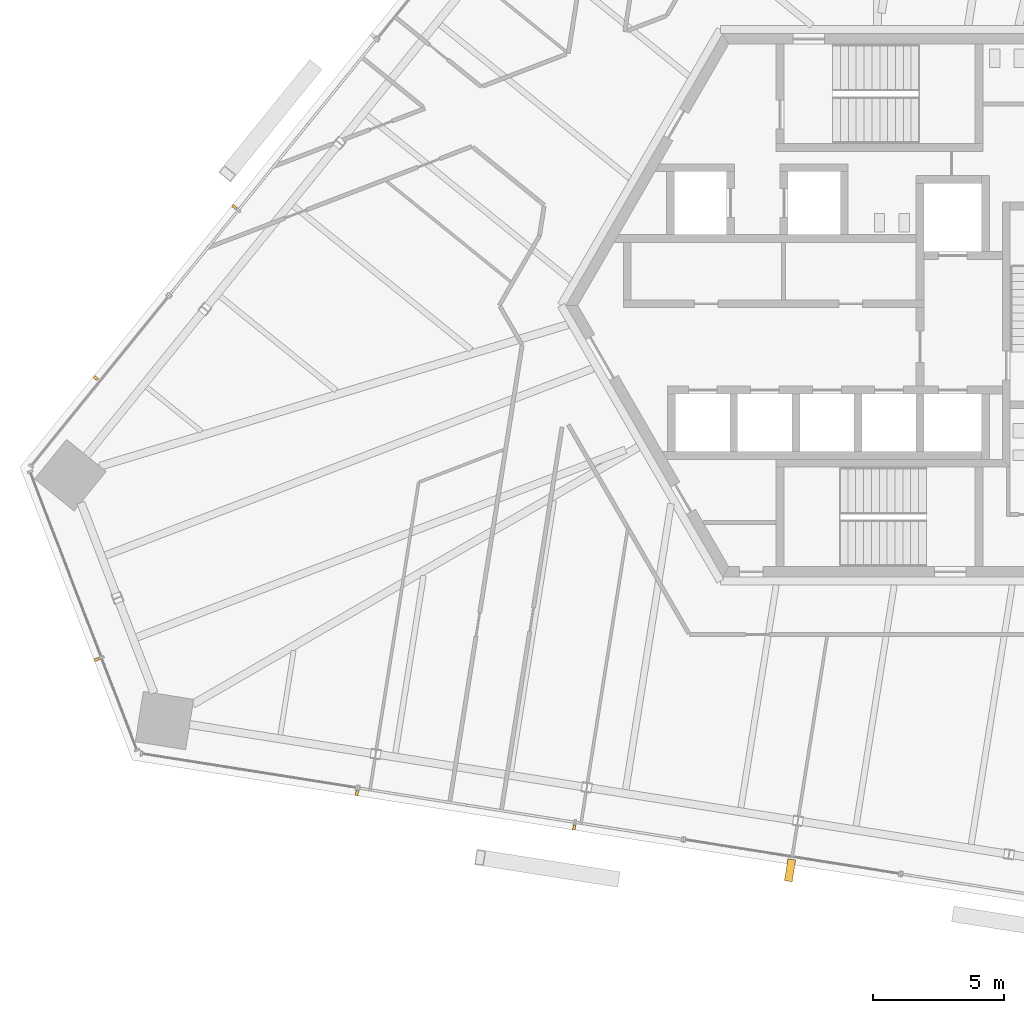
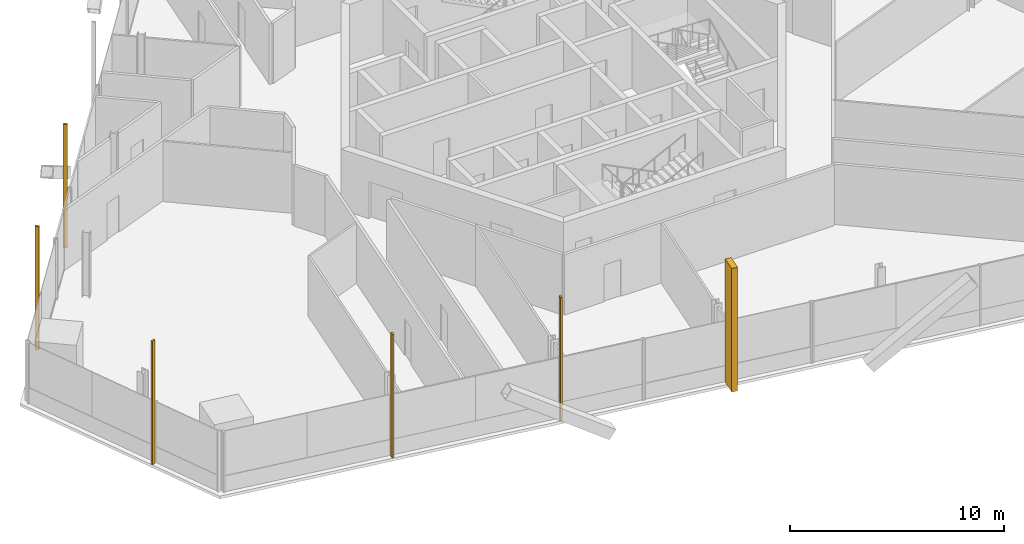
# One storey, part 16 of 21: 6 shading devices.
"""IFC4 building model written with IfcOpenShell, lengths in metres."""

import ifcopenshell
import ifcopenshell.guid

model = None  # the IFC model being written
_history = None  # IfcOwnerHistory: only IFC2X3 demands one
_inside = {}  # id of a spatial element -> (the spatial element, [elements in it])
_under = {}  # id of a project, library or spatial element -> (it, [spatial elements below it])
_declared = {}  # id of a project -> (the project, [libraries it declares])
_typed = {}  # id of a type object -> (the type object, [elements of that type])
_made_of = {}  # id of a material, layer set ... -> (it, [elements and type objects made of it])


def new_model(schema):
    """Start an empty IFC model of exactly this schema.

    Asked for "IFC4X3", IfcOpenShell would pick the latest addendum, in which some entities
    have other attributes; the version numbers below select the first issue.
    IFC2X3 requires an IfcOwnerHistory on every rooted entity: one is made here for all.
    """
    global model, _history
    if schema == "IFC4X3":
        model = ifcopenshell.file(schema_version=(4, 3, 0, 0))
    else:
        model = ifcopenshell.file(schema=schema)
    _inside.clear()
    _under.clear()
    _declared.clear()
    _typed.clear()
    _made_of.clear()
    _history = None
    if model.schema == "IFC2X3":
        org = make("IfcOrganization", Name="unknown")
        user = make(
            "IfcPersonAndOrganization",
            ThePerson=make("IfcPerson", FamilyName="unknown"),
            TheOrganization=org,
        )
        app = make(
            "IfcApplication",
            ApplicationDeveloper=org,
            Version="unknown",
            ApplicationFullName="unknown",
            ApplicationIdentifier="unknown",
        )
        _history = make(
            "IfcOwnerHistory",
            OwningUser=user,
            OwningApplication=app,
            ChangeAction="ADDED",
            CreationDate=0,
        )
    return model


def make(cls, **values):
    """One entity of the class cls with the attributes given. An attribute that is None is left unset."""
    return model.create_entity(
        cls, **{name: value for name, value in values.items() if value is not None}
    )


def rooted(cls, **values):
    """An entity with a GlobalId (a new one), such as an element, a storey or a relation."""
    return make(cls, GlobalId=ifcopenshell.guid.new(), OwnerHistory=_history, **values)


def si_unit(unit_type, name, prefix=None):
    """IfcSIUnit, for example si_unit("LENGTHUNIT", "METRE", prefix="MILLI")."""
    return make("IfcSIUnit", UnitType=unit_type, Prefix=prefix, Name=name)


def assignment(units):
    """IfcUnitAssignment: the units of a project."""
    return None if units is None else make("IfcUnitAssignment", Units=units)


def point(xyz):
    """IfcCartesianPoint."""
    return None if xyz is None else make("IfcCartesianPoint", Coordinates=xyz)


def direction(xyz):
    """IfcDirection."""
    return None if xyz is None else make("IfcDirection", DirectionRatios=xyz)


def frame(location, z_axis=None, x_axis=None):
    """IfcAxis2Placement3D, a coordinate frame: its origin and axes. An axis left out is left unset."""
    return make(
        "IfcAxis2Placement3D",
        Location=point(location),
        Axis=direction(z_axis),
        RefDirection=direction(x_axis),
    )


def frame_2d(location, x_axis=None):
    """IfcAxis2Placement2D, a coordinate frame in the plane: its origin and x axis."""
    return make(
        "IfcAxis2Placement2D", Location=point(location), RefDirection=direction(x_axis)
    )


def origin():
    """The frame at (0, 0, 0) with its axes left unset."""
    return frame((0.0, 0.0, 0.0))


def origin_2d():
    """The frame at (0, 0) in the plane with its x axis left unset."""
    return frame_2d((0.0, 0.0))


def place(relative_to, where):
    """IfcLocalPlacement: puts the frame where relative to a parent placement (None: the world)."""
    return make(
        "IfcLocalPlacement", PlacementRelTo=relative_to, RelativePlacement=where
    )


def context(
    kind, dimensions, precision=None, world=None, true_north=None, identifier=None
):
    """IfcGeometricRepresentationContext, for example the 3D "Model" context."""
    return make(
        "IfcGeometricRepresentationContext",
        ContextIdentifier=identifier,
        ContextType=kind,
        CoordinateSpaceDimension=dimensions,
        Precision=precision,
        WorldCoordinateSystem=world,
        TrueNorth=true_north,
    )


def subcontext(parent, identifier, kind, view, scale=None):
    """IfcGeometricRepresentationSubContext, for example "Body" below "Model"."""
    return make(
        "IfcGeometricRepresentationSubContext",
        ContextIdentifier=identifier,
        ContextType=kind,
        ParentContext=parent,
        TargetScale=scale,
        TargetView=view,
    )


def project(units=None, contexts=None):
    """IfcProject with its units and contexts."""
    return rooted(
        "IfcProject",
        Name="project",
        RepresentationContexts=contexts,
        UnitsInContext=assignment(units),
    )


def spatial(cls, under=None, at=None, **own):
    """A site, building, storey or space (cls), placed at a placement, below another one or the project."""
    s = rooted(cls, ObjectPlacement=at, **own)
    if under is not None:
        _under.setdefault(under.id(), (under, []))[1].append(s)
    return s


def profile(cls, at=None, kind="AREA", **sizes):
    """A parametric profile (cls). Its sizes go by their IFC names, for example OverallWidth=200.0."""
    return make(cls, ProfileType=kind, Position=at, **sizes)


def rectangle(**sizes):
    """IfcRectangleProfileDef."""
    return profile("IfcRectangleProfileDef", **sizes)


def extrude(swept, where, along, depth):
    """IfcExtrudedAreaSolid: the profile swept, set in the frame where, extruded along a direction by depth."""
    return make(
        "IfcExtrudedAreaSolid",
        SweptArea=swept,
        Position=where,
        ExtrudedDirection=direction(along),
        Depth=depth,
    )


def shape(context_of_items, identifier, shape_type, items):
    """IfcShapeRepresentation: the items that make up one representation, for example the "Body"."""
    return make(
        "IfcShapeRepresentation",
        ContextOfItems=context_of_items,
        RepresentationIdentifier=identifier,
        RepresentationType=shape_type,
        Items=items,
    )


def source(mapping_origin, context_of_items, identifier, shape_type, items):
    """IfcRepresentationMap: a shape defined once, which mapped items show again and again."""
    return make(
        "IfcRepresentationMap",
        MappingOrigin=mapping_origin,
        MappedRepresentation=shape(context_of_items, identifier, shape_type, items),
    )


def transform(
    local_origin,
    x_axis=None,
    y_axis=None,
    z_axis=None,
    scale=None,
    scale2=None,
    scale3=None,
    uniform=True,
):
    """IfcCartesianTransformationOperator3D, or its non-uniform kind. x_axis, y_axis, z_axis: its Axis1, 2, 3."""
    if uniform:
        return make(
            "IfcCartesianTransformationOperator3D",
            Axis1=direction(x_axis),
            Axis2=direction(y_axis),
            LocalOrigin=point(local_origin),
            Scale=scale,
            Axis3=direction(z_axis),
        )
    return make(
        "IfcCartesianTransformationOperator3DnonUniform",
        Axis1=direction(x_axis),
        Axis2=direction(y_axis),
        LocalOrigin=point(local_origin),
        Scale=scale,
        Axis3=direction(z_axis),
        Scale2=scale2,
        Scale3=scale3,
    )


def mapped(mapping_source, mapping_target):
    """IfcMappedItem: shows the shape of a source again, moved by a transform."""
    return make(
        "IfcMappedItem", MappingSource=mapping_source, MappingTarget=mapping_target
    )


def material(Name=None, Category=None):
    """IfcMaterial."""
    return make("IfcMaterial", Name=Name, Category=Category)


def made_of(thing, what):
    """Note that an element or type object is made of a material, layer set ...; save() writes the relation."""
    if what is not None:
        _made_of.setdefault(what.id(), (what, []))[1].append(thing)
    return thing


def element(
    cls,
    number,
    at=None,
    inside=None,
    cuts=None,
    type_object=None,
    material=None,
    context=None,
    identifier="Body",
    shape_type=None,
    held_by="IfcProductDefinitionShape",
    body=None,
    shapes=None,
    **own,
):
    """One element of the class cls, such as IfcWall. Its Tag is "e" and its number.

    at: its placement. inside: the storey or other place that contains it. cuts: it is an
    opening in that element (IfcRelVoidsElement). A single representation is given by context,
    identifier, shape_type and body (its items); several are given by shapes. held_by: the class
    of the entity that holds the representations. save() writes the other relations.
    """
    e = rooted(cls, Tag="e%d" % number, ObjectPlacement=at, **own)
    if body is not None:
        shapes = [shape(context, identifier, shape_type, body)]
    if shapes is not None:
        e.Representation = make(held_by, Representations=shapes)
    if inside is not None:
        _inside.setdefault(inside.id(), (inside, []))[1].append(e)
    if cuts is not None:
        rooted(
            "IfcRelVoidsElement", RelatingBuildingElement=cuts, RelatedOpeningElement=e
        )
    if type_object is not None:
        _typed.setdefault(type_object.id(), (type_object, []))[1].append(e)
    return made_of(e, material)


def aggregate(whole, parts):
    """IfcRelAggregates: a whole, such as a stair, and the parts it consists of."""
    return rooted("IfcRelAggregates", RelatingObject=whole, RelatedObjects=parts)


def save(model, path):
    """Write the relations noted so far, then the file.

    IfcRelAggregates (storeys below a building ...), IfcRelContainedInSpatialStructure (elements
    in a storey), IfcRelDefinesByType, IfcRelAssociatesMaterial and IfcRelDeclares: one each for
    every whole, place, type object, material and project.
    """
    for whole, parts in _under.values():
        aggregate(whole, parts)
    for where, things in _inside.values():
        rooted(
            "IfcRelContainedInSpatialStructure",
            RelatedElements=things,
            RelatingStructure=where,
        )
    for kind, things in _typed.values():
        rooted("IfcRelDefinesByType", RelatedObjects=things, RelatingType=kind)
    for what, things in _made_of.values():
        rooted("IfcRelAssociatesMaterial", RelatedObjects=things, RelatingMaterial=what)
    for by, libraries in _declared.values():
        rooted("IfcRelDeclares", RelatingContext=by, RelatedDefinitions=libraries)
    model.write(path)


model = new_model("IFC4")

# Units and contexts
model_context = context("Model", 3, precision=1e-05, world=origin(), true_north=direction((0.0, 1.0)))
body_context = subcontext(model_context, "Body", "Model", "MODEL_VIEW")
ifc_project = project(units=[si_unit("LENGTHUNIT", "METRE"), si_unit("AREAUNIT", "SQUARE_METRE"), si_unit("VOLUMEUNIT", "CUBIC_METRE"), si_unit("PLANEANGLEUNIT", "RADIAN"), si_unit("MASSUNIT", "GRAM", prefix="KILO")], contexts=[model_context])

# Site, building, storey
site_placement = place(None, origin())
site = spatial("IfcSite", under=ifc_project, at=site_placement, CompositionType="ELEMENT")
building_placement = place(site_placement, origin())
building = spatial("IfcBuilding", under=site, at=building_placement, Name="Triune Harvest Tower", CompositionType="ELEMENT")
storey_placement = place(building_placement, frame((0.0, 0.0, 160.5)))
storey = spatial("IfcBuildingStorey", under=building, at=storey_placement, Name="L41", CompositionType="ELEMENT", Elevation=160.5)

# Shading devices
ifc_material = material(Name="Aluminium bronze anodised", Category="aluminium")
shared_shape_1 = source(origin(), body_context, "Body", "SweptSolid", [
    extrude(rectangle(XDim=0.10009765625, YDim=0.199951171875, at=origin_2d()), origin(), (0.0, 0.0, 1.0), 7.0400390625),
])
for number, where, z_axis, x_axis, name in (
    (1, (-24.6796875, 3.767578125, 0.0), (0.0, 0.0, 1.0), (-0.629321459087, -0.777145096577, 0.0), "FN-1 fin B4-F3.10 L41"),
    (2, (-29.97998046875, -2.77783203125, 0.0), (0.0, 0.0, 1.0), (-0.629321459087, -0.777145096577, 0.0), "FN-1 fin B4-F3.12 L41"),
    (3, (-29.944580078125, -13.54296875, 0.0), (0.0, 0.0, 1.0), (0.358368910177, -0.933580057745, 0.0), "FN-1 fin B4-F4.3 L41"),
    (4, (-19.98876953125, -18.6533203125, 0.0), (0.0, 0.0, 1.0), (0.987688259912, -0.156434974453, 0.0), "FN-1 fin B4-F5.3 L41"),
    (5, (-11.679931640625, -19.969482421875, 0.0), (0.0, 0.0, 1.0), (0.987688259912, -0.156434974453, 0.0), "FN-1 fin B4-F5.5 L41"),
):
    element("IfcShadingDevice", number, at=place(storey_placement, frame(where, z_axis=z_axis, x_axis=x_axis)), inside=storey, material=ifc_material, Name=name, ObjectType="FIN", PredefinedType="USERDEFINED", context=body_context, shape_type="MappedRepresentation", body=[
        mapped(shared_shape_1, transform((0.0, 0.0, 0.0), scale=1.0)),
    ])
shared_shape_2 = source(origin(), body_context, "Body", "SweptSolid", [
    extrude(rectangle(XDim=0.300048828125, YDim=0.85009765625, at=origin_2d()), origin(), (0.0, 0.0, 1.0), 7.0400390625),
])
shading_device_placement = place(storey_placement, frame((-3.422119140625, -21.6064453125, 0.0), z_axis=(0.0, 0.0, 1.0), x_axis=(0.987688259912, -0.156434974453, 0.0)))
element("IfcShadingDevice", 6, at=shading_device_placement, inside=storey, material=ifc_material, Name="FN-2 fin B4-F5.7 L41", ObjectType="FIN", PredefinedType="USERDEFINED", context=body_context, shape_type="MappedRepresentation", body=[
    mapped(shared_shape_2, transform((0.0, 0.0, 0.0), scale=1.0)),
])

save(model, "model.ifc")
